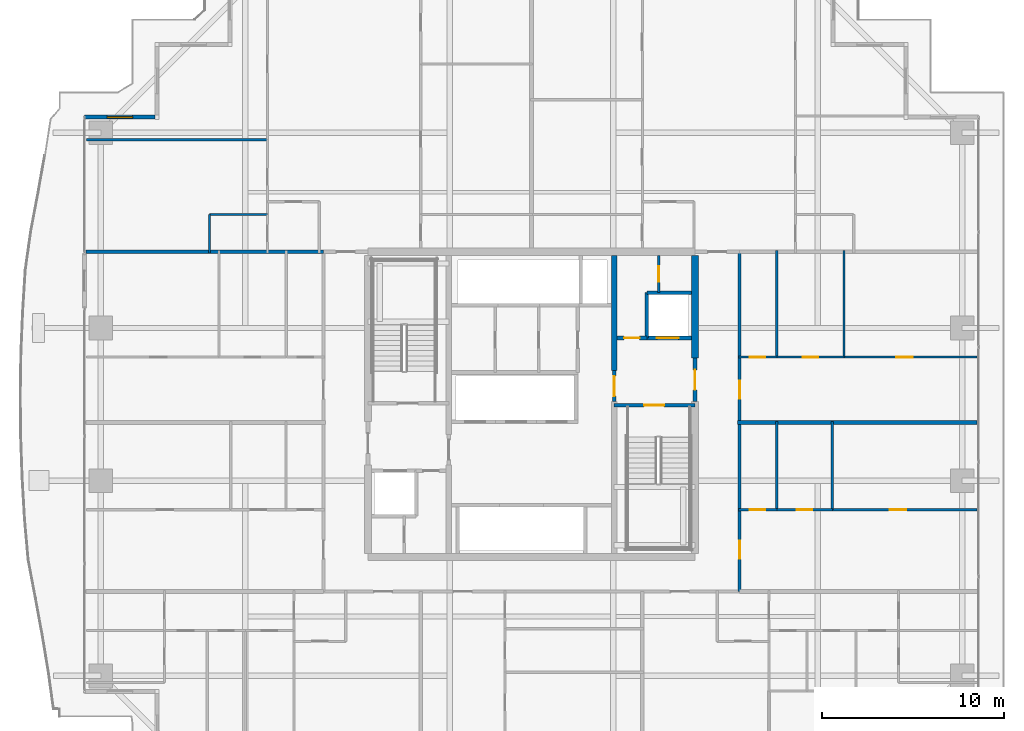
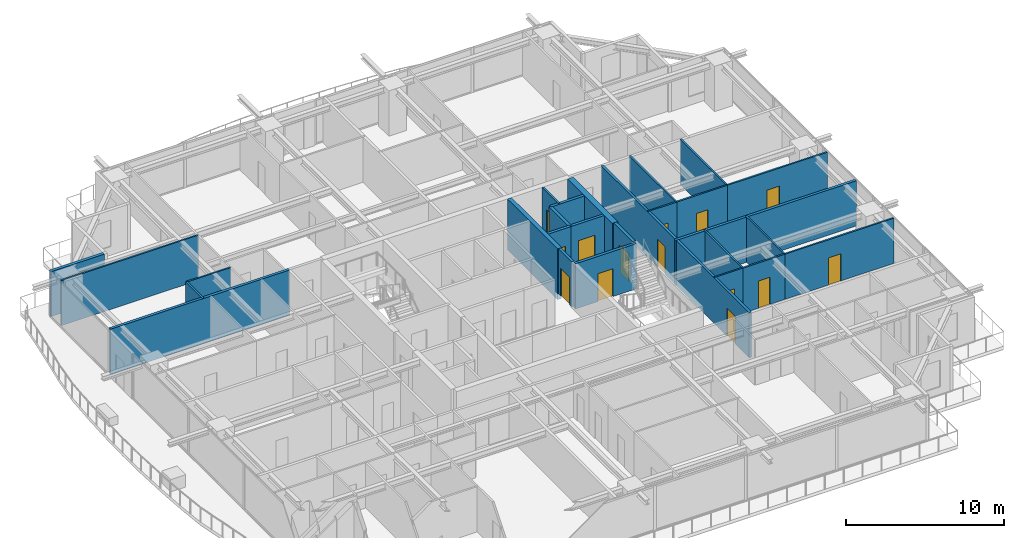
# One storey, part 30 of 38: 27 walls, 14 doors, 1 window, 15 openings.
"""IFC4 building model written with IfcOpenShell, lengths in metres."""

from ifc_helpers import new_model, si_unit, direction, frame, frame_2d, origin, place, context, subcontext, project, spatial, rectangle, extrude, source, transform, mapped, material, layer, layer_set, type_object, element, fill, save


model = new_model("IFC4")

# Units and contexts
model_context = context("Model", 3, precision=1e-05, world=origin(), true_north=direction((0.0, 1.0)))
body_context = subcontext(model_context, "Body", "Model", "MODEL_VIEW")
ifc_project = project(units=[si_unit("LENGTHUNIT", "METRE"), si_unit("AREAUNIT", "SQUARE_METRE"), si_unit("VOLUMEUNIT", "CUBIC_METRE"), si_unit("PLANEANGLEUNIT", "RADIAN"), si_unit("MASSUNIT", "GRAM", prefix="KILO")], contexts=[model_context])

# Site, building, storey
site_placement = place(None, origin())
site = spatial("IfcSite", under=ifc_project, at=site_placement, CompositionType="ELEMENT")
building_placement = place(site_placement, origin())
building = spatial("IfcBuilding", under=site, at=building_placement, Name="Serunith Strait Residences", CompositionType="ELEMENT")
storey_placement = place(building_placement, frame((0.0, 0.0, 120.14990234375)))
storey = spatial("IfcBuildingStorey", under=building, at=storey_placement, Name="L29", CompositionType="ELEMENT", Elevation=120.14990234375)

# Wall, opening, window
ifc_material_1 = material(Name="Pale-Champagne Aluminium Insulated Panel", Category="aluminium")
ifc_layer_1 = layer(ifc_material_1, 0.219970703125, Name="Pale-Champagne Aluminium Insulated Panel")
ifc_layer_set_1 = layer_set([ifc_layer_1], Name="Pale-Champagne Aluminium Insulated Panel")
wall_type_1 = type_object("IfcWallType", Name="EW-ALUM-220", PredefinedType="ELEMENTEDWALL", material=ifc_layer_set_1)
wall_1_placement = place(storey_placement, frame((11.68994140625, 41.0, 0.0), z_axis=(0.0, 0.0, 1.0), x_axis=(-1.0, 0.0, 0.0)))
wall_1 = element("IfcWall", 1, at=wall_1_placement, inside=storey, type_object=wall_type_1, Name="L29 Girih Serrated Corner Wall 15", PredefinedType="ELEMENTEDWALL", context=body_context, shape_type="SweptSolid", body=[
    extrude(rectangle(XDim=3.889892578125, YDim=0.219970703125, at=frame_2d((1.94482421875, 0.0))), origin(), (0.0, 0.0, 1.0), 3.47509765625),
])
opening_1_placement = place(wall_1_placement, frame((1.2451171875, 0.0, 0.64990234375)))
opening_1 = element("IfcOpeningElement", 2, at=opening_1_placement, cuts=wall_1, Name="Opening W-03", PredefinedType="OPENING", context=body_context, shape_type="SweptSolid", body=[
    extrude(rectangle(XDim=1.39990234375, YDim=2.050048828125, at=frame_2d((0.699951171875, 1.02490234375))), frame((0.0, 0.1201171875, 0.0), z_axis=(0.0, -1.0, 0.0), x_axis=(1.0, 0.0, 0.0)), (0.0, 0.0, 1.0), 0.239990234375),
])
ifc_material_2 = material(Name="Ceramic-Fritted Operable Aluminium Window Glass", Category="aluminium")
window_type = type_object("IfcWindowType", Name="WIN-C3", PartitioningType="SINGLE_PANEL", PredefinedType="WINDOW", material=ifc_material_2)
shared_shape_1 = source(origin(), body_context, "Body", "SweptSolid", [
    extrude(rectangle(XDim=1.39990234375, YDim=2.050048828125, at=frame_2d((0.699951171875, 1.02490234375))), frame((0.0, 0.030029296875, 0.0), z_axis=(0.0, -1.0, 0.0), x_axis=(1.0, 0.0, 0.0)), (0.0, 0.0, 1.0), 0.06005859375),
])
window_placement = place(opening_1_placement, origin())
window = element("IfcWindow", 3, at=window_placement, inside=storey, type_object=window_type, Name="L29 Corner Operable Fritted Window 15", OverallHeight=2.050048828125, OverallWidth=1.39990234375, PartitioningType="SINGLE_PANEL", PredefinedType="WINDOW", context=body_context, shape_type="MappedRepresentation", body=[
    mapped(shared_shape_1, transform((0.0, 0.0, 0.0), scale=1.0)),
])
fill(opening_1, window)

# Wall, opening, door
ifc_material_3 = material(Name="Fire-rated masonry service closet wall", Category="masonry")
ifc_layer_2 = layer(ifc_material_3, 0.14990234375, Name="Fire-rated masonry service closet wall")
ifc_layer_set_2 = layer_set([ifc_layer_2], Name="Fire-rated masonry service closet wall")
wall_type_2 = type_object("IfcWallType", Name="IW-BOH-150", PredefinedType="PARTITIONING", material=ifc_layer_set_2)
wall_2_placement = place(storey_placement, frame((39.39990234375, 31.35009765625, 0.0), z_axis=(0.0, 0.0, 1.0), x_axis=(0.0, 1.0, 0.0)))
wall_2 = element("IfcWall", 4, at=wall_2_placement, inside=storey, type_object=wall_type_2, Name="L29 Partition Wall 013", PredefinedType="PARTITIONING", context=body_context, shape_type="SweptSolid", body=[
    extrude(rectangle(XDim=2.0498046875, YDim=0.14990234375, at=frame_2d((1.02490234375, 0.0))), origin(), (0.0, 0.0, 1.0), 3.489990234375),
])
opening_2_placement = place(wall_2_placement, frame((0.60009765625, 0.0, 0.0)))
opening_2 = element("IfcOpeningElement", 5, at=opening_2_placement, cuts=wall_2, Name="Opening FD-850", PredefinedType="OPENING", context=body_context, shape_type="SweptSolid", body=[
    extrude(rectangle(XDim=0.85009765625, YDim=2.10009765625, at=frame_2d((0.425048828125, 1.050048828125))), frame((0.0, 0.0849609375, 0.0), z_axis=(0.0, -1.0, 0.0), x_axis=(1.0, 0.0, 0.0)), (0.0, 0.0, 1.0), 0.169921875),
])
ifc_material_4 = material(Name="Powder-coated steel service closet door", Category="steel")
door_type_1 = type_object("IfcDoorType", Name="FD-BOH-850", OperationType="NOTDEFINED", PredefinedType="DOOR", material=ifc_material_4)
shared_shape_2 = source(origin(), body_context, "Body", "SweptSolid", [
    extrude(rectangle(XDim=0.85009765625, YDim=2.10009765625, at=frame_2d((0.425048828125, 1.050048828125))), frame((0.0, 0.02490234375, 0.0), z_axis=(0.0, -1.0, 0.0), x_axis=(1.0, 0.0, 0.0)), (0.0, 0.0, 1.0), 0.050048828125),
])
door_1_placement = place(opening_2_placement, origin())
door_1 = element("IfcDoor", 6, at=door_1_placement, inside=storey, type_object=door_type_1, Name="L29 Janitor Store Door", OperationType="SINGLE_SWING_RIGHT", OverallHeight=2.10009765625, OverallWidth=0.85009765625, PredefinedType="DOOR", context=body_context, shape_type="MappedRepresentation", body=[
    mapped(shared_shape_2, transform((0.0, 0.0, 0.0), scale=1.0)),
])
fill(opening_2, door_1)

# Wall, openings, doors
ifc_material_5 = material(Name="Fire-rated acoustic gypsum partition")
ifc_layer_3 = layer(ifc_material_5, 0.179931640625, Name="Fire-rated acoustic gypsum partition")
ifc_layer_set_3 = layer_set([ifc_layer_3], Name="Fire-rated acoustic gypsum partition")
wall_type_3 = type_object("IfcWallType", Name="IW-CORR-180", PredefinedType="PARTITIONING", material=ifc_layer_set_3)
wall_3_placement = place(storey_placement, frame((43.85009765625, 14.89990234375, 0.0), z_axis=(0.0, 0.0, 1.0), x_axis=(0.0, 1.0, 0.0)))
wall_3 = element("IfcWall", 7, at=wall_3_placement, inside=storey, type_object=wall_type_3, Name="L29 Partition Wall 028", PredefinedType="PARTITIONING", context=body_context, shape_type="SweptSolid", body=[
    extrude(rectangle(XDim=18.7001953125, YDim=0.179931640625, at=frame_2d((9.35009765625, 0.0))), origin(), (0.0, 0.0, 1.0), 3.489990234375),
])
opening_3_placement = place(wall_3_placement, frame((1.804931640625, 0.0, 0.0)))
opening_3 = element("IfcOpeningElement", 8, at=opening_3_placement, cuts=wall_3, Name="Opening D-APT1000", PredefinedType="OPENING", context=body_context, shape_type="SweptSolid", body=[
    extrude(rectangle(XDim=1.0, YDim=2.14990234375, at=frame_2d((0.5, 1.074951171875))), frame((0.0, 0.10009765625, 0.0), z_axis=(0.0, -1.0, 0.0), x_axis=(1.0, 0.0, 0.0)), (0.0, 0.0, 1.0), 0.199951171875),
])
opening_4_placement = place(wall_3_placement, frame((10.60205078125, 0.0, 0.0)))
opening_4 = element("IfcOpeningElement", 9, at=opening_4_placement, cuts=wall_3, Name="Opening D-APT1000", PredefinedType="OPENING", context=body_context, shape_type="SweptSolid", body=[
    extrude(rectangle(XDim=1.0, YDim=2.14990234375, at=frame_2d((0.5, 1.074951171875))), frame((0.0, 0.10009765625, 0.0), z_axis=(0.0, -1.0, 0.0), x_axis=(1.0, 0.0, 0.0)), (0.0, 0.0, 1.0), 0.199951171875),
])
ifc_material_6 = material(Name="Solid timber engineered fire door", Category="wood")
door_type_2 = type_object("IfcDoorType", Name="ID-APT-1000", OperationType="NOTDEFINED", PredefinedType="DOOR", material=ifc_material_6)
shared_shape_3 = source(origin(), body_context, "Body", "SweptSolid", [
    extrude(rectangle(XDim=1.0, YDim=2.14990234375, at=frame_2d((0.5, 1.074951171875))), frame((0.0, 0.02490234375, 0.0), z_axis=(0.0, -1.0, 0.0), x_axis=(1.0, 0.0, 0.0)), (0.0, 0.0, 1.0), 0.050048828125),
])
door_2_placement = place(opening_3_placement, origin())
door_2 = element("IfcDoor", 10, at=door_2_placement, inside=storey, type_object=door_type_2, Name="L29 Unit 08 Entrance Door", OperationType="SINGLE_SWING_LEFT", OverallHeight=2.14990234375, OverallWidth=1.0, PredefinedType="DOOR", context=body_context, shape_type="MappedRepresentation", body=[
    mapped(shared_shape_3, transform((0.0, 0.0, 0.0), scale=1.0)),
])
fill(opening_3, door_2)
door_3_placement = place(opening_4_placement, origin())
door_3 = element("IfcDoor", 11, at=door_3_placement, inside=storey, type_object=door_type_2, Name="L29 Unit 09 Entrance Door", OperationType="SINGLE_SWING_RIGHT", OverallHeight=2.14990234375, OverallWidth=1.0, PredefinedType="DOOR", context=body_context, shape_type="MappedRepresentation", body=[
    mapped(shared_shape_3, transform((0.0, 0.0, 0.0), scale=1.0)),
])
fill(opening_4, door_3)

# Walls
ifc_material_7 = material(Name="Lightweight steel-stud gypsum partition", Category="steel")
ifc_layer_4 = layer(ifc_material_7, 0.1201171875, Name="Lightweight steel-stud gypsum partition")
ifc_layer_set_4 = layer_set([ifc_layer_4], Name="Lightweight steel-stud gypsum partition")
wall_type_4 = type_object("IfcWallType", Name="IW-PART-120", PredefinedType="PARTITIONING", material=ifc_layer_set_4)
wall_4_placement = place(storey_placement, frame((7.89501953125, 39.764892578125, 0.0), z_axis=(0.0, 0.0, 1.0), x_axis=(1.0, 0.0, 0.0)))
element("IfcWall", 12, at=wall_4_placement, inside=storey, type_object=wall_type_4, Name="L29 Partition Wall 071", PredefinedType="PARTITIONING", context=body_context, shape_type="SweptSolid", body=[
    extrude(rectangle(XDim=9.97509765625, YDim=0.1201171875, at=frame_2d((4.987548828125, 0.0))), origin(), (0.0, 0.0, 1.0), 3.489990234375),
])
wall_5_placement = place(storey_placement, frame((14.669921875, 35.64990234375, 0.0), z_axis=(0.0, 0.0, 1.0), x_axis=(1.0, 0.0, 0.0)))
element("IfcWall", 13, at=wall_5_placement, inside=storey, type_object=wall_type_4, Name="L29 Partition Wall 072", PredefinedType="PARTITIONING", context=body_context, shape_type="SweptSolid", body=[
    extrude(rectangle(XDim=3.2001953125, YDim=0.1201171875, at=frame_2d((1.60009765625, 0.0))), origin(), (0.0, 0.0, 1.0), 3.489990234375),
])
wall_6_placement = place(storey_placement, frame((14.669921875, 35.64990234375, 0.0), z_axis=(0.0, 0.0, 1.0), x_axis=(0.0, -1.0, 0.0)))
element("IfcWall", 14, at=wall_6_placement, inside=storey, type_object=wall_type_4, Name="L29 Partition Wall 073", PredefinedType="PARTITIONING", context=body_context, shape_type="SweptSolid", body=[
    extrude(rectangle(XDim=2.10986328125, YDim=0.1201171875, at=frame_2d((1.054931640625, 0.0))), origin(), (0.0, 0.0, 1.0), 3.489990234375),
])

# Wall, opening, door
wall_7_placement = place(storey_placement, frame((56.905029296875, 19.39990234375, 0.0), z_axis=(0.0, 0.0, 1.0), x_axis=(-1.0, 0.0, 0.0)))
wall_7 = element("IfcWall", 15, at=wall_7_placement, inside=storey, type_object=wall_type_4, Name="L29 Partition Wall 104", PredefinedType="PARTITIONING", context=body_context, shape_type="SweptSolid", body=[
    extrude(rectangle(XDim=7.950927734375, YDim=0.1201171875, at=frame_2d((3.9755859375, 0.0))), origin(), (0.0, 0.0, 1.0), 3.489990234375),
])
opening_5_placement = place(wall_7_placement, frame((3.8779296875, 0.0, 0.0)))
opening_5 = element("IfcOpeningElement", 16, at=opening_5_placement, cuts=wall_7, Name="Opening D-RM900", PredefinedType="OPENING", context=body_context, shape_type="SweptSolid", body=[
    extrude(rectangle(XDim=0.89990234375, YDim=2.10009765625, at=frame_2d((0.449951171875, 1.050048828125))), frame((0.0, 0.070068359375, 0.0), z_axis=(0.0, -1.0, 0.0), x_axis=(1.0, 0.0, 0.0)), (0.0, 0.0, 1.0), 0.14013671875),
])
ifc_material_8 = material(Name="Engineered timber flush bedroom door", Category="wood")
door_type_3 = type_object("IfcDoorType", Name="ID-ROOM-900", OperationType="NOTDEFINED", PredefinedType="DOOR", material=ifc_material_8)
shared_shape_4 = source(origin(), body_context, "Body", "SweptSolid", [
    extrude(rectangle(XDim=0.89990234375, YDim=2.10009765625, at=frame_2d((0.449951171875, 1.050048828125))), frame((0.0, 0.02490234375, 0.0), z_axis=(0.0, -1.0, 0.0), x_axis=(1.0, 0.0, 0.0)), (0.0, 0.0, 1.0), 0.050048828125),
])
door_4_placement = place(opening_5_placement, origin())
door_4 = element("IfcDoor", 17, at=door_4_placement, inside=storey, type_object=door_type_3, Name="L29 Master Bedroom 1 2908 Door", OperationType="SINGLE_SWING_LEFT", OverallHeight=2.10009765625, OverallWidth=0.89990234375, PredefinedType="DOOR", context=body_context, shape_type="MappedRepresentation", body=[
    mapped(shared_shape_4, transform((0.0, 0.0, 0.0), scale=1.0)),
])
fill(opening_5, door_4)

# Walls
for number, where, z_axis, x_axis, name in (
    (18, (48.9541015625, 19.39990234375, 0.0), (0.0, 0.0, 1.0), (0.0, 1.0, 0.0), "L29 Partition Wall 105"),
    (19, (45.89990234375, 19.39990234375, 0.0), (0.0, 0.0, 1.0), (0.0, 1.0, 0.0), "L29 Partition Wall 106"),
):
    element("IfcWall", number, at=place(storey_placement, frame(where, z_axis=z_axis, x_axis=x_axis)), inside=storey, type_object=wall_type_4, Name=name, PredefinedType="PARTITIONING", context=body_context, shape_type="SweptSolid", body=[
        extrude(rectangle(XDim=4.860107421875, YDim=0.1201171875, at=frame_2d((2.43017578125, 0.0))), origin(), (0.0, 0.0, 1.0), 3.489990234375),
    ])

# Wall, opening, door
wall_8_placement = place(storey_placement, frame((48.951904296875, 19.39990234375, 0.0), z_axis=(0.0, 0.0, 1.0), x_axis=(-1.0, 0.0, 0.0)))
wall_8 = element("IfcWall", 20, at=wall_8_placement, inside=storey, type_object=wall_type_4, Name="L29 Partition Wall 107", PredefinedType="PARTITIONING", context=body_context, shape_type="SweptSolid", body=[
    extrude(rectangle(XDim=3.052001953125, YDim=0.1201171875, at=frame_2d((1.52587890625, 0.0))), origin(), (0.0, 0.0, 1.0), 3.489990234375),
])
opening_6_placement = place(wall_8_placement, frame((1.10107421875, 0.0, 0.0)))
opening_6 = element("IfcOpeningElement", 21, at=opening_6_placement, cuts=wall_8, Name="Opening D-RM850", PredefinedType="OPENING", context=body_context, shape_type="SweptSolid", body=[
    extrude(rectangle(XDim=0.85009765625, YDim=2.10009765625, at=frame_2d((0.425048828125, 1.050048828125))), frame((0.0, 0.070068359375, 0.0), z_axis=(0.0, -1.0, 0.0), x_axis=(1.0, 0.0, 0.0)), (0.0, 0.0, 1.0), 0.14013671875),
])
ifc_material_9 = material(Name="Engineered timber flush study and kitchen door", Category="wood")
door_type_4 = type_object("IfcDoorType", Name="ID-ROOM-850", OperationType="NOTDEFINED", PredefinedType="DOOR", material=ifc_material_9)
door_5_placement = place(opening_6_placement, origin())
door_5 = element("IfcDoor", 22, at=door_5_placement, inside=storey, type_object=door_type_4, Name="L29 Kitchen 2908 Door", OperationType="SINGLE_SWING_RIGHT", OverallHeight=2.10009765625, OverallWidth=0.85009765625, PredefinedType="DOOR", context=body_context, shape_type="MappedRepresentation", body=[
    mapped(shared_shape_2, transform((0.0, 0.0, 0.0), scale=1.0)),
])
fill(opening_6, door_5)

wall_9_placement = place(storey_placement, frame((45.89794921875, 19.39990234375, 0.0), z_axis=(0.0, 0.0, 1.0), x_axis=(-1.0, 0.0, 0.0)))
wall_9 = element("IfcWall", 23, at=wall_9_placement, inside=storey, type_object=wall_type_4, Name="L29 Partition Wall 108", PredefinedType="PARTITIONING", context=body_context, shape_type="SweptSolid", body=[
    extrude(rectangle(XDim=2.10791015625, YDim=0.1201171875, at=frame_2d((1.053955078125, 0.0))), origin(), (0.0, 0.0, 1.0), 3.489990234375),
])
opening_7_placement = place(wall_9_placement, frame((0.62890625, 0.0, 0.0)))
opening_7 = element("IfcOpeningElement", 24, at=opening_7_placement, cuts=wall_9, Name="Opening D-BTH850", PredefinedType="OPENING", context=body_context, shape_type="SweptSolid", body=[
    extrude(rectangle(XDim=0.85009765625, YDim=2.10009765625, at=frame_2d((0.425048828125, 1.050048828125))), frame((0.0, 0.070068359375, 0.0), z_axis=(0.0, -1.0, 0.0), x_axis=(1.0, 0.0, 0.0)), (0.0, 0.0, 1.0), 0.14013671875),
])
ifc_material_10 = material(Name="Moisture-resistant timber bathroom door", Category="wood")
door_type_5 = type_object("IfcDoorType", Name="ID-BATH-850", OperationType="NOTDEFINED", PredefinedType="DOOR", material=ifc_material_10)
door_6_placement = place(opening_7_placement, origin())
door_6 = element("IfcDoor", 25, at=door_6_placement, inside=storey, type_object=door_type_5, Name="L29 Bathroom 2908 Door", OperationType="SINGLE_SWING_LEFT", OverallHeight=2.10009765625, OverallWidth=0.85009765625, PredefinedType="DOOR", context=body_context, shape_type="MappedRepresentation", body=[
    mapped(shared_shape_2, transform((0.0, 0.0, 0.0), scale=1.0)),
])
fill(opening_7, door_6)

wall_10_placement = place(storey_placement, frame((56.905029296875, 27.800048828125, 0.0), z_axis=(0.0, 0.0, 1.0), x_axis=(-1.0, 0.0, 0.0)))
wall_10 = element("IfcWall", 26, at=wall_10_placement, inside=storey, type_object=wall_type_4, Name="L29 Partition Wall 109", PredefinedType="PARTITIONING", context=body_context, shape_type="SweptSolid", body=[
    extrude(rectangle(XDim=7.302978515625, YDim=0.1201171875, at=frame_2d((3.6513671875, 0.0))), origin(), (0.0, 0.0, 1.0), 3.489990234375),
])
opening_8_placement = place(wall_10_placement, frame((3.52197265625, 0.0, 0.0)))
opening_8 = element("IfcOpeningElement", 27, at=opening_8_placement, cuts=wall_10, Name="Opening D-RM900", PredefinedType="OPENING", context=body_context, shape_type="SweptSolid", body=[
    extrude(rectangle(XDim=0.89990234375, YDim=2.10009765625, at=frame_2d((0.449951171875, 1.050048828125))), frame((0.0, 0.070068359375, 0.0), z_axis=(0.0, -1.0, 0.0), x_axis=(1.0, 0.0, 0.0)), (0.0, 0.0, 1.0), 0.14013671875),
])
door_7_placement = place(opening_8_placement, origin())
door_7 = element("IfcDoor", 28, at=door_7_placement, inside=storey, type_object=door_type_3, Name="L29 Master Bedroom 1 2909 Door", OperationType="SINGLE_SWING_RIGHT", OverallHeight=2.10009765625, OverallWidth=0.89990234375, PredefinedType="DOOR", context=body_context, shape_type="MappedRepresentation", body=[
    mapped(shared_shape_4, transform((0.0, 0.0, 0.0), scale=1.0)),
])
fill(opening_8, door_7)

# Walls
for number, where, z_axis, x_axis, name in (
    (29, (49.60205078125, 27.800048828125, 0.0), (0.0, 0.0, 1.0), (0.0, 1.0, 0.0), "L29 Partition Wall 110"),
    (30, (45.89990234375, 27.800048828125, 0.0), (0.0, 0.0, 1.0), (0.0, 1.0, 0.0), "L29 Partition Wall 111"),
):
    element("IfcWall", number, at=place(storey_placement, frame(where, z_axis=z_axis, x_axis=x_axis)), inside=storey, type_object=wall_type_4, Name=name, PredefinedType="PARTITIONING", context=body_context, shape_type="SweptSolid", body=[
        extrude(rectangle(XDim=5.85986328125, YDim=0.1201171875, at=frame_2d((2.929931640625, 0.0))), origin(), (0.0, 0.0, 1.0), 3.489990234375),
    ])

# Wall, opening, door
wall_11_placement = place(storey_placement, frame((49.60009765625, 27.800048828125, 0.0), z_axis=(0.0, 0.0, 1.0), x_axis=(-1.0, 0.0, 0.0)))
wall_11 = element("IfcWall", 31, at=wall_11_placement, inside=storey, type_object=wall_type_4, Name="L29 Partition Wall 112", PredefinedType="PARTITIONING", context=body_context, shape_type="SweptSolid", body=[
    extrude(rectangle(XDim=3.7001953125, YDim=0.1201171875, at=frame_2d((1.85009765625, 0.0))), origin(), (0.0, 0.0, 1.0), 3.489990234375),
])
opening_9_placement = place(wall_11_placement, frame((1.425048828125, 0.0, 0.0)))
opening_9 = element("IfcOpeningElement", 32, at=opening_9_placement, cuts=wall_11, Name="Opening D-RM850", PredefinedType="OPENING", context=body_context, shape_type="SweptSolid", body=[
    extrude(rectangle(XDim=0.85009765625, YDim=2.10009765625, at=frame_2d((0.425048828125, 1.050048828125))), frame((0.0, 0.070068359375, 0.0), z_axis=(0.0, -1.0, 0.0), x_axis=(1.0, 0.0, 0.0)), (0.0, 0.0, 1.0), 0.14013671875),
])
door_8_placement = place(opening_9_placement, origin())
door_8 = element("IfcDoor", 33, at=door_8_placement, inside=storey, type_object=door_type_4, Name="L29 Kitchen 2909 Door", OperationType="SINGLE_SWING_LEFT", OverallHeight=2.10009765625, OverallWidth=0.85009765625, PredefinedType="DOOR", context=body_context, shape_type="MappedRepresentation", body=[
    mapped(shared_shape_2, transform((0.0, 0.0, 0.0), scale=1.0)),
])
fill(opening_9, door_8)

wall_12_placement = place(storey_placement, frame((45.89794921875, 27.800048828125, 0.0), z_axis=(0.0, 0.0, 1.0), x_axis=(-1.0, 0.0, 0.0)))
wall_12 = element("IfcWall", 34, at=wall_12_placement, inside=storey, type_object=wall_type_4, Name="L29 Partition Wall 113", PredefinedType="PARTITIONING", context=body_context, shape_type="SweptSolid", body=[
    extrude(rectangle(XDim=2.10791015625, YDim=0.1201171875, at=frame_2d((1.053955078125, 0.0))), origin(), (0.0, 0.0, 1.0), 3.489990234375),
])
opening_10_placement = place(wall_12_placement, frame((0.62890625, 0.0, 0.0)))
opening_10 = element("IfcOpeningElement", 35, at=opening_10_placement, cuts=wall_12, Name="Opening D-BTH850", PredefinedType="OPENING", context=body_context, shape_type="SweptSolid", body=[
    extrude(rectangle(XDim=0.85009765625, YDim=2.10009765625, at=frame_2d((0.425048828125, 1.050048828125))), frame((0.0, 0.070068359375, 0.0), z_axis=(0.0, -1.0, 0.0), x_axis=(1.0, 0.0, 0.0)), (0.0, 0.0, 1.0), 0.14013671875),
])
door_9_placement = place(opening_10_placement, origin())
door_9 = element("IfcDoor", 36, at=door_9_placement, inside=storey, type_object=door_type_5, Name="L29 Bathroom 2909 Door", OperationType="SINGLE_SWING_RIGHT", OverallHeight=2.10009765625, OverallWidth=0.85009765625, PredefinedType="DOOR", context=body_context, shape_type="MappedRepresentation", body=[
    mapped(shared_shape_2, transform((0.0, 0.0, 0.0), scale=1.0)),
])
fill(opening_10, door_9)

# Walls
ifc_material_11 = material(Name="Twin-stud acoustic gypsum board partition")
ifc_layer_5 = layer(ifc_material_11, 0.199951171875, Name="Twin-stud acoustic gypsum board partition")
ifc_layer_set_5 = layer_set([ifc_layer_5], Name="Twin-stud acoustic gypsum board partition")
wall_type_5 = type_object("IfcWallType", Name="IW-PARTY-200", PredefinedType="PARTITIONING", material=ifc_layer_set_5)
wall_13_placement = place(storey_placement, frame((43.72998046875, 24.199951171875, 0.0), z_axis=(0.0, 0.0, 1.0), x_axis=(1.0, 0.0, 0.0)))
element("IfcWall", 37, at=wall_13_placement, inside=storey, type_object=wall_type_5, Name="L29 Partition Wall 021", PredefinedType="PARTITIONING", context=body_context, shape_type="SweptSolid", body=[
    extrude(rectangle(XDim=13.18798828125, YDim=0.199951171875, at=frame_2d((6.593994140625, 0.0))), origin(), (0.0, 0.0, 1.0), 3.489990234375),
])
wall_14_placement = place(storey_placement, frame((7.882080078125, 33.60009765625, 0.0), z_axis=(0.0, 0.0, 1.0), x_axis=(1.0, 0.0, 0.0)))
element("IfcWall", 38, at=wall_14_placement, inside=storey, type_object=wall_type_5, Name="L29 Partition Wall 024", PredefinedType="PARTITIONING", context=body_context, shape_type="SweptSolid", body=[
    extrude(rectangle(XDim=13.06787109375, YDim=0.199951171875, at=frame_2d((6.533935546875, 0.0))), origin(), (0.0, 0.0, 1.0), 3.489990234375),
])

# Wall, opening, door
ifc_material_12 = material(Name="Autoclaved aerated concrete blockwork", Category="masonry")
ifc_layer_6 = layer(ifc_material_12, 0.199951171875, Name="Autoclaved aerated concrete blockwork")
ifc_layer_set_6 = layer_set([ifc_layer_6], Name="Autoclaved aerated concrete blockwork")
wall_type_6 = type_object("IfcWallType", Name="IW-SHAFT-200", PredefinedType="STANDARD", material=ifc_layer_set_6)
wall_15_placement = place(storey_placement, frame((36.949951171875, 25.14990234375, 0.0), z_axis=(0.0, 0.0, 1.0), x_axis=(1.0, 0.0, 0.0)))
wall_15 = element("IfcWall", 39, at=wall_15_placement, inside=storey, type_object=wall_type_6, Name="L29 ST-2 North Shaft Wall", PredefinedType="STANDARD", context=body_context, shape_type="SweptSolid", body=[
    extrude(rectangle(XDim=4.449951171875, YDim=0.199951171875, at=frame_2d((2.22509765625, 0.0))), origin(), (0.0, 0.0, 1.0), 3.489990234375),
])
opening_11_placement = place(wall_15_placement, frame((1.64990234375, 0.0, 0.0)))
opening_11 = element("IfcOpeningElement", 40, at=opening_11_placement, cuts=wall_15, Name="Opening FD-1100", PredefinedType="OPENING", context=body_context, shape_type="SweptSolid", body=[
    extrude(rectangle(XDim=1.10009765625, YDim=2.14990234375, at=frame_2d((0.550048828125, 1.074951171875))), frame((0.0, 0.10986328125, 0.0), z_axis=(0.0, -1.0, 0.0), x_axis=(1.0, 0.0, 0.0)), (0.0, 0.0, 1.0), 0.219970703125),
])
ifc_material_13 = material(Name="Galvanised steel fire door leaf", Category="steel")
door_type_6 = type_object("IfcDoorType", Name="FD-STAIR-1100", OperationType="NOTDEFINED", PredefinedType="DOOR", material=ifc_material_13)
shared_shape_5 = source(origin(), body_context, "Body", "SweptSolid", [
    extrude(rectangle(XDim=1.10009765625, YDim=2.14990234375, at=frame_2d((0.550048828125, 1.074951171875))), frame((0.0, 0.02490234375, 0.0), z_axis=(0.0, -1.0, 0.0), x_axis=(1.0, 0.0, 0.0)), (0.0, 0.0, 1.0), 0.050048828125),
])
door_10_placement = place(opening_11_placement, origin())
door_10 = element("IfcDoor", 41, at=door_10_placement, inside=storey, type_object=door_type_6, Name="L29 ST-2 Escape Stair Door", OperationType="SINGLE_SWING_RIGHT", OverallHeight=2.14990234375, OverallWidth=1.10009765625, PredefinedType="DOOR", context=body_context, shape_type="MappedRepresentation", body=[
    mapped(shared_shape_5, transform((0.0, 0.0, 0.0), scale=1.0)),
])
fill(opening_11, door_10)

wall_16_placement = place(storey_placement, frame((38.75, 28.85009765625, 0.0), z_axis=(0.0, 0.0, 1.0), x_axis=(1.0, 0.0, 0.0)))
wall_16 = element("IfcWall", 42, at=wall_16_placement, inside=storey, type_object=wall_type_6, Name="L29 FL-2 South Shaft Wall", PredefinedType="STANDARD", context=body_context, shape_type="SweptSolid", body=[
    extrude(rectangle(XDim=2.449951171875, YDim=0.199951171875, at=frame_2d((1.22509765625, 0.0))), origin(), (0.0, 0.0, 1.0), 3.489990234375),
])
opening_12_placement = place(wall_16_placement, frame((0.550048828125, 0.0, 0.0)))
opening_12 = element("IfcOpeningElement", 43, at=opening_12_placement, cuts=wall_16, Name="Opening LD-FF1200", PredefinedType="OPENING", context=body_context, shape_type="SweptSolid", body=[
    extrude(rectangle(XDim=1.199951171875, YDim=2.199951171875, at=frame_2d((0.60009765625, 1.10009765625))), frame((0.0, 0.10986328125, 0.0), z_axis=(0.0, -1.0, 0.0), x_axis=(1.0, 0.0, 0.0)), (0.0, 0.0, 1.0), 0.219970703125),
])
ifc_material_14 = material(Name="Brushed stainless steel landing door", Category="steel")
door_type_7 = type_object("IfcDoorType", Name="LD-FF-1200", OperationType="DOUBLE_DOOR_SLIDING", PredefinedType="DOOR", material=ifc_material_14)
shared_shape_6 = source(origin(), body_context, "Body", "SweptSolid", [
    extrude(rectangle(XDim=1.199951171875, YDim=2.199951171875, at=frame_2d((0.60009765625, 1.10009765625))), frame((0.0, 0.02490234375, 0.0), z_axis=(0.0, -1.0, 0.0), x_axis=(1.0, 0.0, 0.0)), (0.0, 0.0, 1.0), 0.050048828125),
])
door_11_placement = place(opening_12_placement, origin())
door_11 = element("IfcDoor", 44, at=door_11_placement, inside=storey, type_object=door_type_7, Name="L29 FL-2 Landing Door", OperationType="DOUBLE_DOOR_SLIDING", OverallHeight=2.199951171875, OverallWidth=1.199951171875, PredefinedType="DOOR", context=body_context, shape_type="MappedRepresentation", body=[
    mapped(shared_shape_6, transform((0.0, 0.0, 0.0), scale=1.0)),
])
fill(opening_12, door_11)

# Walls
wall_17_placement = place(storey_placement, frame((38.75, 28.85009765625, 0.0), z_axis=(0.0, 0.0, 1.0), x_axis=(0.0, 1.0, 0.0)))
element("IfcWall", 45, at=wall_17_placement, inside=storey, type_object=wall_type_6, Name="L29 Partition Wall 004", PredefinedType="STANDARD", context=body_context, shape_type="SweptSolid", body=[
    extrude(rectangle(XDim=2.5, YDim=0.199951171875, at=frame_2d((1.25, 0.0))), origin(), (0.0, 0.0, 1.0), 3.489990234375),
])
wall_18_placement = place(storey_placement, frame((38.75, 31.35009765625, 0.0), z_axis=(0.0, 0.0, 1.0), x_axis=(1.0, 0.0, 0.0)))
element("IfcWall", 46, at=wall_18_placement, inside=storey, type_object=wall_type_6, Name="L29 Partition Wall 005", PredefinedType="STANDARD", context=body_context, shape_type="SweptSolid", body=[
    extrude(rectangle(XDim=2.449951171875, YDim=0.199951171875, at=frame_2d((1.22509765625, 0.0))), origin(), (0.0, 0.0, 1.0), 3.489990234375),
])

# Wall, opening, door
wall_19_placement = place(storey_placement, frame((37.10009765625, 28.85009765625, 0.0), z_axis=(0.0, 0.0, 1.0), x_axis=(1.0, 0.0, 0.0)))
wall_19 = element("IfcWall", 47, at=wall_19_placement, inside=storey, type_object=wall_type_6, Name="L29 Partition Wall 006", PredefinedType="STANDARD", context=body_context, shape_type="SweptSolid", body=[
    extrude(rectangle(XDim=1.64794921875, YDim=0.199951171875, at=frame_2d((0.823974609375, 0.0))), origin(), (0.0, 0.0, 1.0), 3.489990234375),
])
opening_13_placement = place(wall_19_placement, frame((0.39892578125, 0.0, 0.0)))
opening_13 = element("IfcOpeningElement", 48, at=opening_13_placement, cuts=wall_19, Name="Opening FD-850", PredefinedType="OPENING", context=body_context, shape_type="SweptSolid", body=[
    extrude(rectangle(XDim=0.85009765625, YDim=2.10009765625, at=frame_2d((0.425048828125, 1.050048828125))), frame((0.0, 0.10986328125, 0.0), z_axis=(0.0, -1.0, 0.0), x_axis=(1.0, 0.0, 0.0)), (0.0, 0.0, 1.0), 0.219970703125),
])
door_12_placement = place(opening_13_placement, origin())
door_12 = element("IfcDoor", 49, at=door_12_placement, inside=storey, type_object=door_type_1, Name="L29 North-East Core Service Door", OperationType="SINGLE_SWING_RIGHT", OverallHeight=2.10009765625, OverallWidth=0.85009765625, PredefinedType="DOOR", context=body_context, shape_type="MappedRepresentation", body=[
    mapped(shared_shape_2, transform((0.0, 0.0, 0.0), scale=1.0)),
])
fill(opening_13, door_12)

wall_20_placement = place(storey_placement, frame((41.39990234375, 25.35205078125, 0.0), z_axis=(0.0, 0.0, 1.0), x_axis=(0.0, 1.0, 0.0)))
wall_20 = element("IfcWall", 50, at=wall_20_placement, inside=storey, type_object=wall_type_6, Name="L29 Partition Wall 008", PredefinedType="STANDARD", context=body_context, shape_type="SweptSolid", body=[
    extrude(rectangle(XDim=2.39599609375, YDim=0.199951171875, at=frame_2d((1.197998046875, 0.0))), origin(), (0.0, 0.0, 1.0), 3.489990234375),
])
opening_14_placement = place(wall_20_placement, frame((0.64794921875, 0.0, 0.0)))
opening_14 = element("IfcOpeningElement", 51, at=opening_14_placement, cuts=wall_20, Name="Opening FD-FFL", PredefinedType="OPENING", context=body_context, shape_type="SweptSolid", body=[
    extrude(rectangle(XDim=1.10009765625, YDim=2.14990234375, at=frame_2d((0.550048828125, 1.074951171875))), frame((0.0, 0.10986328125, 0.0), z_axis=(0.0, -1.0, 0.0), x_axis=(1.0, 0.0, 0.0)), (0.0, 0.0, 1.0), 0.219970703125),
])
ifc_material_15 = material(Name="Glazed steel smoke-lobby fire door", Category="steel")
door_type_8 = type_object("IfcDoorType", Name="FD-FFL-1100", OperationType="NOTDEFINED", PredefinedType="DOOR", material=ifc_material_15)
door_13_placement = place(opening_14_placement, origin())
door_13 = element("IfcDoor", 52, at=door_13_placement, inside=storey, type_object=door_type_8, Name="L29 FFL-2 Corridor Fire Door", OperationType="SINGLE_SWING_RIGHT", OverallHeight=2.14990234375, OverallWidth=1.10009765625, PredefinedType="DOOR", context=body_context, shape_type="MappedRepresentation", body=[
    mapped(shared_shape_5, transform((0.0, 0.0, 0.0), scale=1.0)),
])
fill(opening_14, door_13)

wall_21_placement = place(storey_placement, frame((36.949951171875, 25.35205078125, 0.0), z_axis=(0.0, 0.0, 1.0), x_axis=(0.0, 1.0, 0.0)))
wall_21 = element("IfcWall", 53, at=wall_21_placement, inside=storey, type_object=wall_type_6, Name="L29 Partition Wall 010", PredefinedType="STANDARD", context=body_context, shape_type="SweptSolid", body=[
    extrude(rectangle(XDim=1.696044921875, YDim=0.199951171875, at=frame_2d((0.84814453125, 0.0))), origin(), (0.0, 0.0, 1.0), 3.489990234375),
])
opening_15_placement = place(wall_21_placement, frame((0.298095703125, 0.0, 0.0)))
opening_15 = element("IfcOpeningElement", 54, at=opening_15_placement, cuts=wall_21, Name="Opening FD-FFL", PredefinedType="OPENING", context=body_context, shape_type="SweptSolid", body=[
    extrude(rectangle(XDim=1.10009765625, YDim=2.14990234375, at=frame_2d((0.550048828125, 1.074951171875))), frame((0.0, 0.10986328125, 0.0), z_axis=(0.0, -1.0, 0.0), x_axis=(1.0, 0.0, 0.0)), (0.0, 0.0, 1.0), 0.219970703125),
])
door_14_placement = place(opening_15_placement, origin())
door_14 = element("IfcDoor", 55, at=door_14_placement, inside=storey, type_object=door_type_8, Name="L29 FFL-2 Lift Lobby Door", OperationType="SINGLE_SWING_RIGHT", OverallHeight=2.14990234375, OverallWidth=1.10009765625, PredefinedType="DOOR", context=body_context, shape_type="MappedRepresentation", body=[
    mapped(shared_shape_5, transform((0.0, 0.0, 0.0), scale=1.0)),
])
fill(opening_15, door_14)

# Walls
ifc_material_16 = material(Name="Concrete C70/85", Category="concrete")
ifc_layer_7 = layer(ifc_material_16, 0.300048828125, Name="Concrete C70/85")
ifc_layer_set_7 = layer_set([ifc_layer_7], Name="Concrete C70/85")
wall_type_7 = type_object("IfcWallType", Name="SW-300-C70", PredefinedType="SHEAR", material=ifc_layer_set_7)
wall_22_placement = place(storey_placement, frame((36.949951171875, 27.050048828125, -0.43994140625), z_axis=(0.0, 0.0, 1.0), x_axis=(0.0, 1.0, 0.0)))
element("IfcWall", 56, at=wall_22_placement, inside=storey, type_object=wall_type_7, Name="L29 Core Internal East Web North Pier", PredefinedType="SHEAR", context=body_context, shape_type="SweptSolid", body=[
    extrude(rectangle(XDim=6.349853515625, YDim=0.300048828125, at=frame_2d((3.1748046875, 0.0))), origin(), (0.0, 0.0, 1.0), 3.927978515625),
])
ifc_layer_8 = layer(ifc_material_16, 0.39990234375, Name="Concrete C70/85")
ifc_layer_set_8 = layer_set([ifc_layer_8], Name="Concrete C70/85")
wall_type_8 = type_object("IfcWallType", Name="SW-400-C70", PredefinedType="SHEAR", material=ifc_layer_set_8)
wall_23_placement = place(storey_placement, frame((41.39990234375, 27.75, -0.43994140625), z_axis=(0.0, 0.0, 1.0), x_axis=(0.0, 1.0, 0.0)))
element("IfcWall", 57, at=wall_23_placement, inside=storey, type_object=wall_type_8, Name="L29 Core East Shear Wall North Pier", PredefinedType="SHEAR", context=body_context, shape_type="SweptSolid", body=[
    extrude(rectangle(XDim=5.64990234375, YDim=0.39990234375, at=frame_2d((2.824951171875, 0.0))), origin(), (0.0, 0.0, 1.0), 3.927978515625),
])

save(model, "model.ifc")
